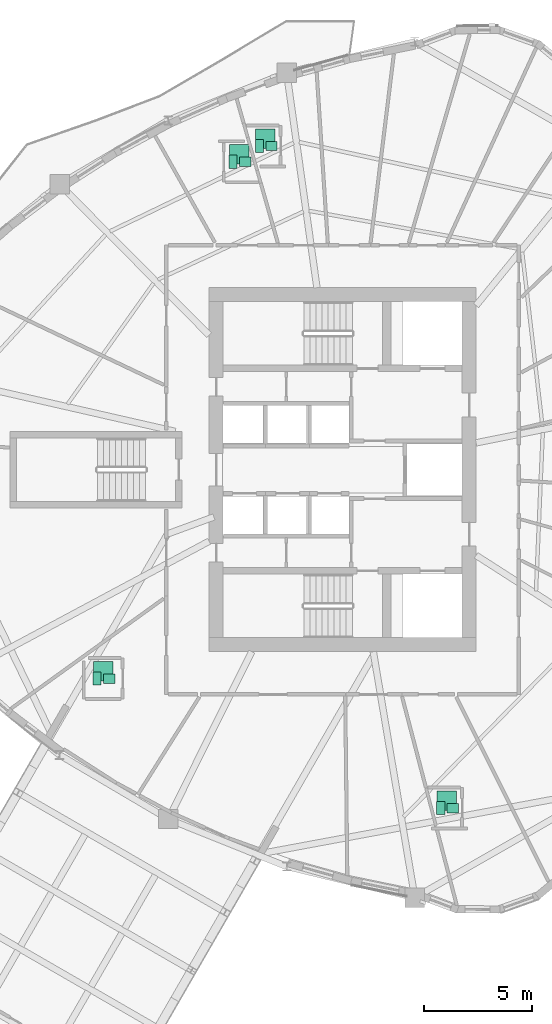
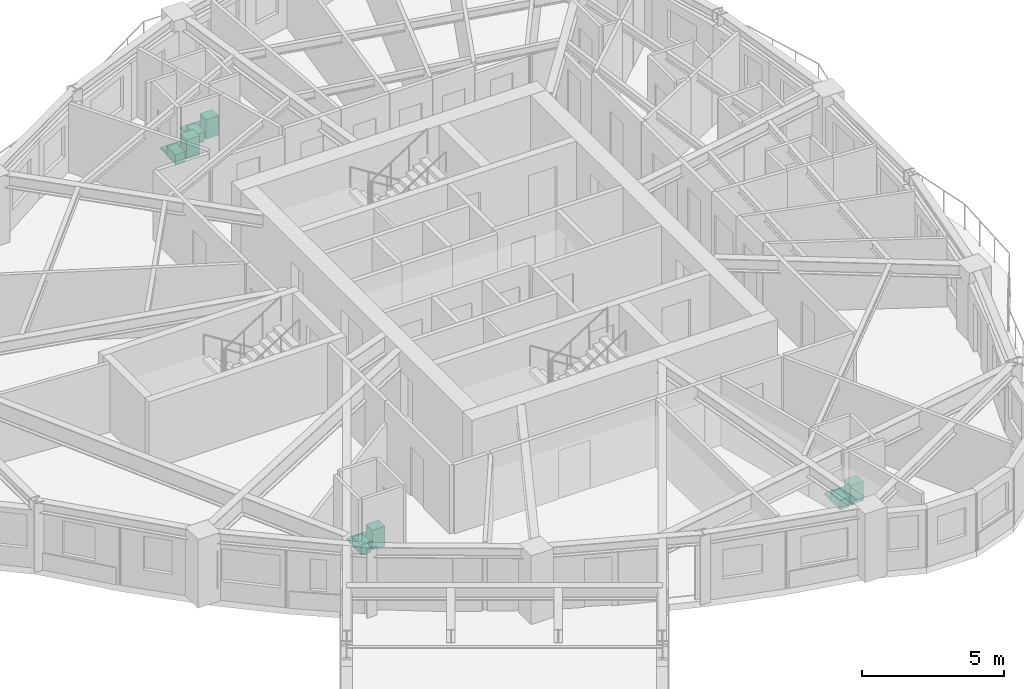
# One storey, part 17 of 17: 12 sanitary terminals.
"""IFC4 building model written with IfcOpenShell, lengths in metres."""

from ifc_helpers import new_model, si_unit, direction, frame, origin, origin_2d, place, context, subcontext, project, spatial, rectangle, extrude, source, transform, mapped, material, type_object, element, save


model = new_model("IFC4")

# Units and contexts
model_context = context("Model", 3, precision=1e-05, world=origin(), true_north=direction((0.0, 1.0)))
body_context = subcontext(model_context, "Body", "Model", "MODEL_VIEW")
ifc_project = project(units=[si_unit("LENGTHUNIT", "METRE"), si_unit("AREAUNIT", "SQUARE_METRE"), si_unit("VOLUMEUNIT", "CUBIC_METRE"), si_unit("PLANEANGLEUNIT", "RADIAN"), si_unit("MASSUNIT", "GRAM", prefix="KILO")], contexts=[model_context])

# Site, building, storey
site_placement = place(None, origin())
site = spatial("IfcSite", under=ifc_project, at=site_placement, CompositionType="ELEMENT")
building_placement = place(site_placement, origin())
building = spatial("IfcBuilding", under=site, at=building_placement, Name="Qafzar Sky-Pleat Residences", CompositionType="ELEMENT")
storey_placement = place(building_placement, frame((0.0, 0.0, 115.199951171875)))
storey = spatial("IfcBuildingStorey", under=building, at=storey_placement, Name="L34", CompositionType="ELEMENT", Elevation=115.199951171875)

# Sanitary terminals
ifc_material_1 = material(Name="Vitreous china sanitaryware")
sanitary_terminal_type_1 = type_object("IfcSanitaryTerminalType", Name="SAN-WC-PAN", PredefinedType="TOILETPAN", material=ifc_material_1)
shared_shape_1 = source(origin(), body_context, "Body", "SweptSolid", [
    extrude(rectangle(XDim=0.3798828125, YDim=0.6201171875, at=origin_2d()), origin(), (0.0, 0.0, 1.0), 0.419921875),
])
for number, where, z_axis, x_axis, name in (
    (1, (25.268310546875, 40.301025390625, 0.0), (0.0, 0.0, 1.0), (1.0, 0.0, 0.0), "L34 En-suite Bathroom 5 WC Pan"),
    (2, (26.4853515625, 41.031005859375, 0.0), (0.0, 0.0, 1.0), (1.0, 0.0, 0.0), "L34 En-suite Bathroom 6 WC Pan"),
    (3, (18.952880859375, 16.301025390625, 0.0), (0.0, 0.0, 1.0), (1.0, 0.0, 0.0), "L34 En-suite Bathroom 7 WC Pan"),
    (4, (34.904296875, 10.2900390625, 0.0), (0.0, 0.0, 1.0), (1.0, 0.0, 0.0), "L34 En-suite Bathroom 8 WC Pan"),
):
    element("IfcSanitaryTerminal", number, at=place(storey_placement, frame(where, z_axis=z_axis, x_axis=x_axis)), inside=storey, type_object=sanitary_terminal_type_1, Name=name, PredefinedType="TOILETPAN", context=body_context, shape_type="MappedRepresentation", body=[
        mapped(shared_shape_1, transform((0.0, 0.0, 0.0), x_axis=(1.0, 0.0, 0.0), y_axis=(0.0, 1.0, 0.0), z_axis=(0.0, 0.0, 1.0), scale=1.0)),
    ])
sanitary_terminal_type_2 = type_object("IfcSanitaryTerminalType", Name="SAN-BASIN", PredefinedType="WASHHANDBASIN", material=ifc_material_1)
shared_shape_2 = source(origin(), body_context, "Body", "SweptSolid", [
    extrude(rectangle(XDim=0.52001953125, YDim=0.43994140625, at=origin_2d()), origin(), (0.0, 0.0, 1.0), 0.840087890625),
])
for number, where, z_axis, x_axis, name in (
    (5, (25.828369140625, 40.301025390625, 0.0), (0.0, 0.0, 1.0), (1.0, 0.0, 0.0), "L34 En-suite Bathroom 5 Pedestal Washbasin"),
    (6, (27.04541015625, 41.031005859375, 0.0), (0.0, 0.0, 1.0), (1.0, 0.0, 0.0), "L34 En-suite Bathroom 6 Pedestal Washbasin"),
    (7, (19.512939453125, 16.301025390625, 0.0), (0.0, 0.0, 1.0), (1.0, 0.0, 0.0), "L34 En-suite Bathroom 7 Pedestal Washbasin"),
    (8, (35.464111328125, 10.2900390625, 0.0), (0.0, 0.0, 1.0), (1.0, 0.0, 0.0), "L34 En-suite Bathroom 8 Pedestal Washbasin"),
):
    element("IfcSanitaryTerminal", number, at=place(storey_placement, frame(where, z_axis=z_axis, x_axis=x_axis)), inside=storey, type_object=sanitary_terminal_type_2, Name=name, PredefinedType="WASHHANDBASIN", context=body_context, shape_type="MappedRepresentation", body=[
        mapped(shared_shape_2, transform((0.0, 0.0, 0.0), x_axis=(1.0, 0.0, 0.0), y_axis=(0.0, 1.0, 0.0), z_axis=(0.0, 0.0, 1.0), scale=1.0)),
    ])
ifc_material_2 = material(Name="Vitreous china and acrylic tray")
sanitary_terminal_type_3 = type_object("IfcSanitaryTerminalType", Name="SAN-SHOWER", PredefinedType="SHOWER", material=ifc_material_2)
shared_shape_3 = source(origin(), body_context, "Body", "SweptSolid", [
    extrude(rectangle(XDim=0.89990234375, YDim=0.89990234375, at=origin_2d()), origin(), (0.0, 0.0, 1.0), 0.080078125),
])
for number, where, z_axis, x_axis, name in (
    (9, (25.54833984375, 40.64111328125, 0.0), (0.0, 0.0, 1.0), (1.0, 0.0, 0.0), "L34 En-suite Bathroom 5 Walk-In Shower"),
    (10, (26.765380859375, 41.37109375, 0.0), (0.0, 0.0, 1.0), (1.0, 0.0, 0.0), "L34 En-suite Bathroom 6 Walk-In Shower"),
    (11, (19.23291015625, 16.64111328125, 0.0), (0.0, 0.0, 1.0), (1.0, 0.0, 0.0), "L34 En-suite Bathroom 7 Walk-In Shower"),
    (12, (35.18408203125, 10.6298828125, 0.0), (0.0, 0.0, 1.0), (1.0, 0.0, 0.0), "L34 En-suite Bathroom 8 Walk-In Shower"),
):
    element("IfcSanitaryTerminal", number, at=place(storey_placement, frame(where, z_axis=z_axis, x_axis=x_axis)), inside=storey, type_object=sanitary_terminal_type_3, Name=name, PredefinedType="SHOWER", context=body_context, shape_type="MappedRepresentation", body=[
        mapped(shared_shape_3, transform((0.0, 0.0, 0.0), x_axis=(1.0, 0.0, 0.0), y_axis=(0.0, 1.0, 0.0), z_axis=(0.0, 0.0, 1.0), scale=1.0)),
    ])

save(model, "model.ifc")
